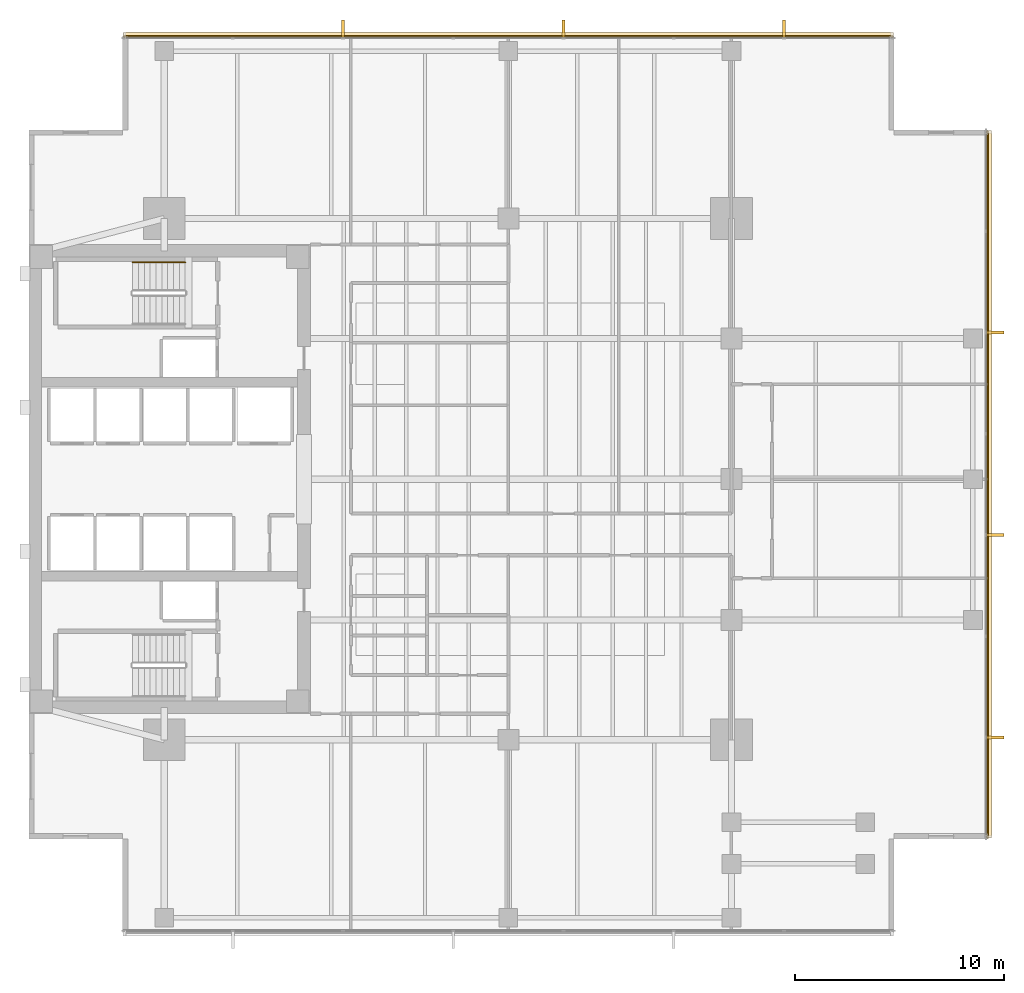
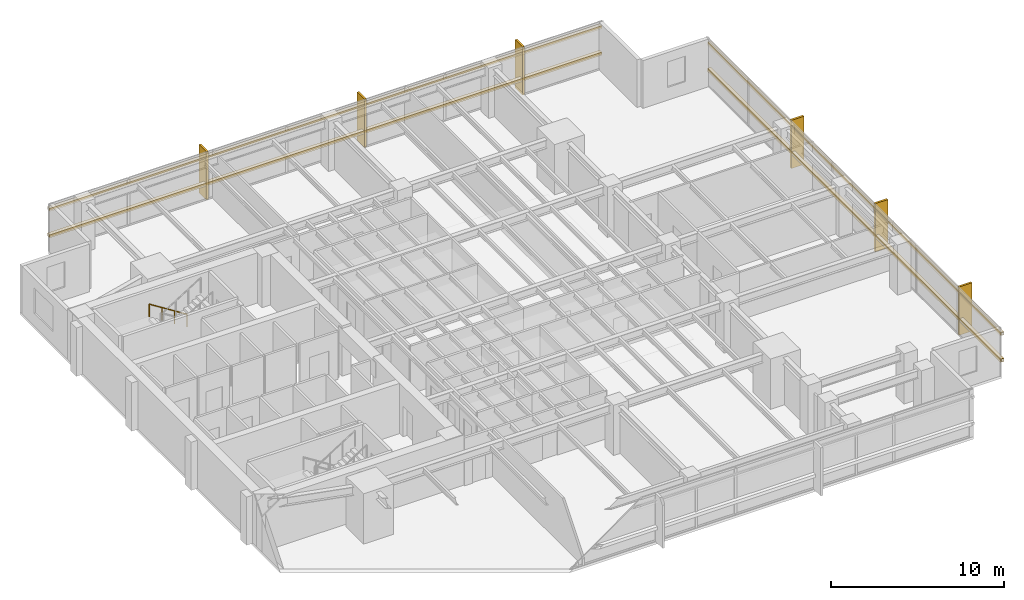
# One storey, part 14 of 14: 10 coverings, 4 shading devices, 1 railing.
"""IFC4 building model written with IfcOpenShell, lengths in metres."""

from ifc_helpers import new_model, si_unit, direction, frame, origin, origin_2d, place, context, subcontext, project, spatial, polyline, rectangle, circle, outline, extrude, material, layer, layer_set, material_profile, profile_set, type_object, element, save


model = new_model("IFC4")

# Units and contexts
model_context = context("Model", 3, precision=1e-05, world=origin(), true_north=direction((0.0, 1.0)))
body_context = subcontext(model_context, "Body", "Model", "MODEL_VIEW")
ifc_project = project(units=[si_unit("LENGTHUNIT", "METRE"), si_unit("AREAUNIT", "SQUARE_METRE"), si_unit("VOLUMEUNIT", "CUBIC_METRE"), si_unit("PLANEANGLEUNIT", "RADIAN"), si_unit("MASSUNIT", "GRAM", prefix="KILO")], contexts=[model_context])

# Site, building, storey
site_placement = place(None, origin())
site = spatial("IfcSite", under=ifc_project, at=site_placement, CompositionType="ELEMENT")
building_placement = place(site_placement, origin())
building = spatial("IfcBuilding", under=site, at=building_placement, Name="Kinhvarn Gate Tower", CompositionType="ELEMENT")
storey_placement = place(building_placement, frame((0.0, 0.0, 166.14990234375)))
storey = spatial("IfcBuildingStorey", under=building, at=storey_placement, Name="L44", CompositionType="ELEMENT", Elevation=166.14990234375)

# Coverings
ifc_material_1 = material(Name="Fired architectural terracotta", Category="masonry")
ifc_layer_1 = layer(ifc_material_1, 0.239990234375)
ifc_layer_set_1 = layer_set([ifc_layer_1], Name="Fired architectural terracotta")
covering_type_1 = type_object("IfcCoveringType", Name="COV-BAG-220", PredefinedType="CLADDING", material=ifc_layer_set_1)
for number, where, name in (
    (1, (0.0, 0.0, 0.940185546875), "Terracotta Horizontal Sunscreen Band TBG-220 (L44)"),
    (2, (0.0, 0.0, 2.81005859375), "Terracotta Horizontal Sunscreen Band TBG-220 (L44)"),
):
    element("IfcCovering", number, at=place(storey_placement, frame(where)), inside=storey, type_object=covering_type_1, Name=name, PredefinedType="CLADDING", context=body_context, shape_type="SweptSolid", body=[
        extrude(outline(polyline([(45.9599609375, 46.429931640625), (9.0400390625, 46.429931640625), (9.0400390625, 46.669921875), (45.9599609375, 46.669921875), (45.9599609375, 46.429931640625)])), origin(), (0.0, 0.0, 1.0), 0.219970703125),
    ])
for number, where, name in (
    (3, (0.0, 0.0, 0.940185546875), "Terracotta Horizontal Sunscreen Band TBG-220 (L44)"),
    (4, (0.0, 0.0, 2.81005859375), "Terracotta Horizontal Sunscreen Band TBG-220 (L44)"),
):
    element("IfcCovering", number, at=place(storey_placement, frame(where)), inside=storey, type_object=covering_type_1, Name=name, PredefinedType="CLADDING", context=body_context, shape_type="SweptSolid", body=[
        extrude(outline(polyline([(50.429931640625, 8.0400390625), (50.429931640625, 41.9599609375), (50.669921875, 41.9599609375), (50.669921875, 8.0400390625), (50.429931640625, 8.0400390625)])), origin(), (0.0, 0.0, 1.0), 0.219970703125),
    ])
ifc_layer_2 = layer(ifc_material_1, 0.139892578125)
ifc_layer_set_2 = layer_set([ifc_layer_2], Name="Fired architectural terracotta")
covering_type_2 = type_object("IfcCoveringType", Name="COV-FIN-850", PredefinedType="CLADDING", material=ifc_layer_set_2)
covering_1_placement = place(storey_placement, frame((0.0, 0.0, -0.02001953125)))
element("IfcCovering", 5, at=covering_1_placement, inside=storey, type_object=covering_type_2, Name="Vertical Terracotta Expressive Fin TFN-850 (L44)", PredefinedType="CLADDING", context=body_context, shape_type="SweptSolid", body=[
    extrude(outline(polyline([(40.7841796875, 46.419921875), (40.644287109375, 46.419921875), (40.644287109375, 47.27001953125), (40.7841796875, 47.27001953125), (40.7841796875, 46.419921875)])), origin(), (0.0, 0.0, 1.0), 3.41015625),
])
covering_2_placement = place(storey_placement, frame((0.0, 0.0, -0.02001953125)))
element("IfcCovering", 6, at=covering_2_placement, inside=storey, type_object=covering_type_2, Name="Vertical Terracotta Expressive Fin TFN-850 (L44)", PredefinedType="CLADDING", context=body_context, shape_type="SweptSolid", body=[
    extrude(outline(polyline([(30.212890625, 46.419921875), (30.072998046875, 46.419921875), (30.072998046875, 47.27001953125), (30.212890625, 47.27001953125), (30.212890625, 46.419921875)])), origin(), (0.0, 0.0, 1.0), 3.41015625),
])
covering_3_placement = place(storey_placement, frame((0.0, 0.0, -0.02001953125)))
element("IfcCovering", 7, at=covering_3_placement, inside=storey, type_object=covering_type_2, Name="Vertical Terracotta Expressive Fin TFN-850 (L44)", PredefinedType="CLADDING", context=body_context, shape_type="SweptSolid", body=[
    extrude(outline(polyline([(19.641357421875, 46.419921875), (19.50146484375, 46.419921875), (19.50146484375, 47.27001953125), (19.641357421875, 47.27001953125), (19.641357421875, 46.419921875)])), origin(), (0.0, 0.0, 1.0), 3.41015625),
])
covering_4_placement = place(storey_placement, frame((0.0, 0.0, -0.02001953125)))
element("IfcCovering", 8, at=covering_4_placement, inside=storey, type_object=covering_type_2, Name="Vertical Terracotta Expressive Fin TFN-850 (L44)", PredefinedType="CLADDING", context=body_context, shape_type="SweptSolid", body=[
    extrude(outline(polyline([(50.419921875, 12.787109375), (50.419921875, 12.927001953125), (51.27001953125, 12.927001953125), (51.27001953125, 12.787109375), (50.419921875, 12.787109375)])), origin(), (0.0, 0.0, 1.0), 3.41015625),
])
covering_5_placement = place(storey_placement, frame((0.0, 0.0, -0.02001953125)))
element("IfcCovering", 9, at=covering_5_placement, inside=storey, type_object=covering_type_2, Name="Vertical Terracotta Expressive Fin TFN-850 (L44)", PredefinedType="CLADDING", context=body_context, shape_type="SweptSolid", body=[
    extrude(outline(polyline([(50.419921875, 22.50146484375), (50.419921875, 22.641357421875), (51.27001953125, 22.641357421875), (51.27001953125, 22.50146484375), (50.419921875, 22.50146484375)])), origin(), (0.0, 0.0, 1.0), 3.41015625),
])
covering_6_placement = place(storey_placement, frame((0.0, 0.0, -0.02001953125)))
element("IfcCovering", 10, at=covering_6_placement, inside=storey, type_object=covering_type_2, Name="Vertical Terracotta Expressive Fin TFN-850 (L44)", PredefinedType="CLADDING", context=body_context, shape_type="SweptSolid", body=[
    extrude(outline(polyline([(50.419921875, 32.2158203125), (50.419921875, 32.355712890625), (51.27001953125, 32.355712890625), (51.27001953125, 32.2158203125), (50.419921875, 32.2158203125)])), origin(), (0.0, 0.0, 1.0), 3.41015625),
])

# Railing
ifc_material_2 = material(Name="Steel S355", Category="steel")
railing_type = type_object("IfcRailingType", Name="RL-ST-HND", PredefinedType="HANDRAIL", material=ifc_material_2)
railing_placement = place(storey_placement, frame((12.0, 35.64990234375, 0.177490234375)))
element("IfcRailing", 11, at=railing_placement, inside=storey, type_object=railing_type, Name="L44 ST2 stair handrail 1", PredefinedType="HANDRAIL", context=body_context, shape_type="SweptSolid", body=[
    extrude(circle(Radius=0.02392578125, at=origin_2d()), frame((0.0, 0.0, 0.8759765625), z_axis=(-0.84456994832, 0.0, 0.535445237532), x_axis=(0.0, -1.0, 0.0)), (0.0, 0.0, 1.0), 2.98388671875),
    extrude(circle(Radius=0.02099609375, at=origin_2d()), origin(), (0.0, 0.0, 1.0), 0.851806640625),
    extrude(circle(Radius=0.02099609375, at=origin_2d()), frame((-0.840087890625, 0.0, 0.532470703125)), (0.0, 0.0, 1.0), 0.851806640625),
    extrude(circle(Radius=0.02099609375, at=origin_2d()), frame((-1.679931640625, 0.0, 1.065185546875)), (0.0, 0.0, 1.0), 0.851806640625),
    extrude(circle(Radius=0.02099609375, at=origin_2d()), frame((-2.52001953125, 0.0, 1.59765625)), (0.0, 0.0, 1.0), 0.851806640625),
])

# Shading devices
ifc_material_profile = material_profile(ifc_material_1, rectangle(XDim=0.050048828125, YDim=0.1201171875, at=origin_2d()), Name="TC 50x120")
ifc_profile_set = profile_set([ifc_material_profile], Name="Fired architectural terracotta")
shading_device_type = type_object("IfcShadingDeviceType", Name="SHD-BAG-140", PredefinedType="USERDEFINED", material=ifc_profile_set)
for number, where, z_axis, x_axis, name in (
    (12, (45.9599609375, 46.5, 1.050048828125), (-1.0, 0.0, 0.0), (0.0, -1.0, 0.0), "Upper Tower Terracotta Baguette Screen Rod 50x120 mm (L44)"),
    (13, (45.9599609375, 46.5, 2.920166015625), (-1.0, 0.0, 0.0), (0.0, -1.0, 0.0), "Upper Tower Terracotta Baguette Screen Rod 50x120 mm (L44)"),
):
    element("IfcShadingDevice", number, at=place(storey_placement, frame(where, z_axis=z_axis, x_axis=x_axis)), inside=storey, type_object=shading_device_type, Name=name, ObjectType="BAGUETTE", PredefinedType="USERDEFINED", context=body_context, shape_type="SweptSolid", body=[
        extrude(rectangle(XDim=0.050048828125, YDim=0.1201171875, at=origin_2d()), origin(), (0.0, 0.0, 1.0), 36.919921875),
    ])
for number, where, z_axis, x_axis, name in (
    (14, (50.5, 8.0400390625, 1.050048828125), (0.0, 1.0, 0.0), (-1.0, 0.0, 0.0), "Upper Tower Terracotta Baguette Screen Rod 50x120 mm (L44)"),
    (15, (50.5, 8.0400390625, 2.920166015625), (0.0, 1.0, 0.0), (-1.0, 0.0, 0.0), "Upper Tower Terracotta Baguette Screen Rod 50x120 mm (L44)"),
):
    element("IfcShadingDevice", number, at=place(storey_placement, frame(where, z_axis=z_axis, x_axis=x_axis)), inside=storey, type_object=shading_device_type, Name=name, ObjectType="BAGUETTE", PredefinedType="USERDEFINED", context=body_context, shape_type="SweptSolid", body=[
        extrude(rectangle(XDim=0.050048828125, YDim=0.1201171875, at=origin_2d()), origin(), (0.0, 0.0, 1.0), 33.919921875),
    ])

save(model, "model.ifc")
